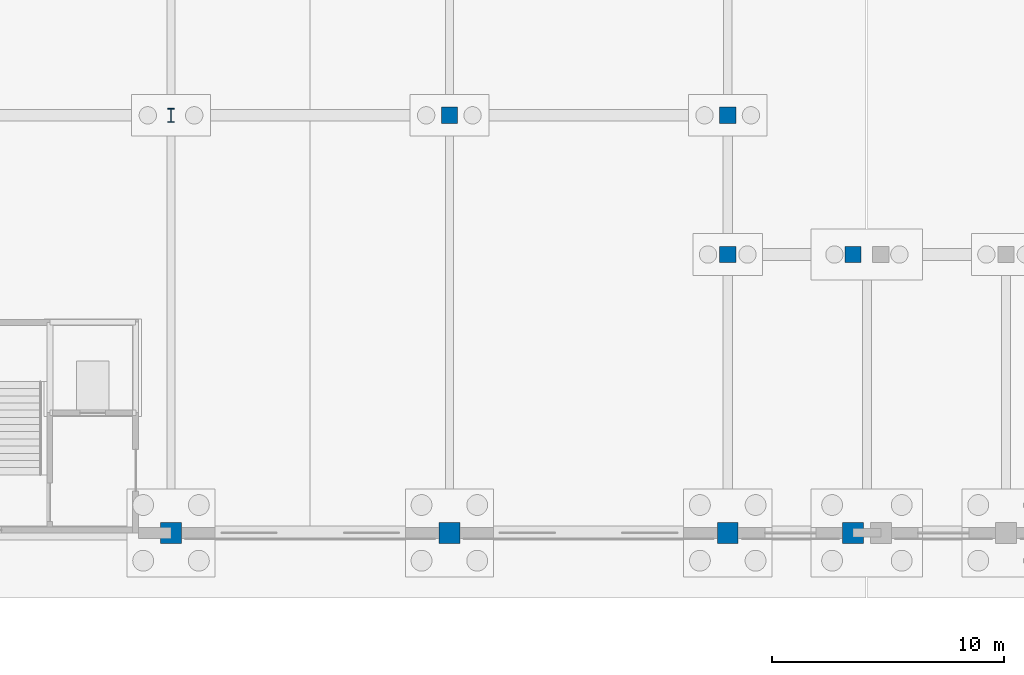
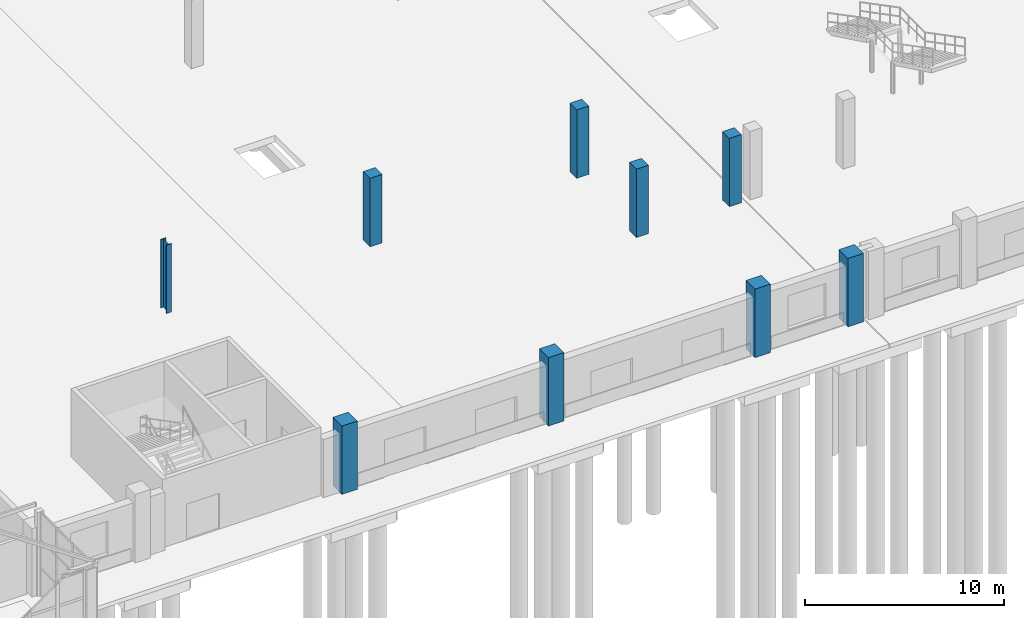
# One storey, part 15 of 77: 9 columns.
"""IFC4 building model written with IfcOpenShell, lengths in metres."""

from ifc_helpers import new_model, si_unit, direction, frame, origin, origin_2d, place, context, subcontext, project, spatial, rectangle, i_section, extrude, material, material_profile, profile_set, type_object, element, save


model = new_model("IFC4")

# Units and contexts
model_context = context("Model", 3, precision=1e-05, world=origin(), true_north=direction((0.0, 1.0)))
body_context = subcontext(model_context, "Body", "Model", "MODEL_VIEW")
ifc_project = project(units=[si_unit("LENGTHUNIT", "METRE"), si_unit("AREAUNIT", "SQUARE_METRE"), si_unit("VOLUMEUNIT", "CUBIC_METRE"), si_unit("PLANEANGLEUNIT", "RADIAN"), si_unit("MASSUNIT", "GRAM", prefix="KILO")], contexts=[model_context])

# Site, building, storey
site_placement = place(None, origin())
site = spatial("IfcSite", under=ifc_project, at=site_placement, CompositionType="ELEMENT")
building_placement = place(site_placement, origin())
building = spatial("IfcBuilding", under=site, at=building_placement, Name="Zilviju Railside Exhibition Hall", CompositionType="ELEMENT")
storey_placement = place(building_placement, origin())
storey = spatial("IfcBuildingStorey", under=building, at=storey_placement, Name="L01", CompositionType="ELEMENT", Elevation=0.0)

# Columns
ifc_material_1 = material(Name="Concrete C35/45", Category="concrete")
ifc_material_profile_1 = material_profile(ifc_material_1, rectangle(XDim=0.699951171875, YDim=0.699951171875, at=origin_2d()), Name="RC COL 700x700")
ifc_profile_set_1 = profile_set([ifc_material_profile_1], Name="Concrete C35/45")
column_type_1 = type_object("IfcColumnType", Name="COL-RC-700", PredefinedType="COLUMN", material=ifc_profile_set_1)
for number, where, z_axis, x_axis, name in (
    (1, (120.0, 12.0, 0.0), (0.0, 0.0, 1.0), (1.0, 0.0, 0.0), "Structural Column L01 (120.0, 12.0)"),
    (2, (125.39990234375, 12.0, 0.0), (0.0, 0.0, 1.0), (1.0, 0.0, 0.0), "Structural Column L01 (125.4, 12.0)"),
    (3, (108.0, 18.0, 0.0), (0.0, 0.0, 1.0), (1.0, 0.0, 0.0), "Structural Column L01 (108.0, 18.0)"),
    (4, (120.0, 18.0, 0.0), (0.0, 0.0, 1.0), (1.0, 0.0, 0.0), "Structural Column L01 (120.0, 18.0)"),
):
    element("IfcColumn", number, at=place(storey_placement, frame(where, z_axis=z_axis, x_axis=x_axis)), inside=storey, type_object=column_type_1, Name=name, PredefinedType="COLUMN", context=body_context, shape_type="SweptSolid", body=[
        extrude(rectangle(XDim=0.699951171875, YDim=0.699951171875, at=origin_2d()), origin(), (0.0, 0.0, 1.0), 4.199951171875),
    ])
ifc_material_2 = material(Name="Concrete C40/50", Category="concrete")
ifc_material_profile_2 = material_profile(ifc_material_2, rectangle(XDim=0.89990234375, YDim=0.89990234375, at=origin_2d()), Name="RC COL 900x900")
ifc_profile_set_2 = profile_set([ifc_material_profile_2], Name="Concrete C40/50")
column_type_2 = type_object("IfcColumnType", Name="COL-RC-900", PredefinedType="COLUMN", material=ifc_profile_set_2)
for number, where, z_axis, x_axis, name in (
    (5, (96.0, 0.0, 0.0), (0.0, 0.0, 1.0), (1.0, 0.0, 0.0), "Structural Column L01 (96.0, 0.0)"),
    (6, (108.0, 0.0, 0.0), (0.0, 0.0, 1.0), (1.0, 0.0, 0.0), "Structural Column L01 (108.0, 0.0)"),
    (7, (120.0, 0.0, 0.0), (0.0, 0.0, 1.0), (1.0, 0.0, 0.0), "Structural Column L01 (120.0, 0.0)"),
    (8, (125.39990234375, 0.0, 0.0), (0.0, 0.0, 1.0), (1.0, 0.0, 0.0), "Structural Column L01 (125.4, 0.0)"),
):
    element("IfcColumn", number, at=place(storey_placement, frame(where, z_axis=z_axis, x_axis=x_axis)), inside=storey, type_object=column_type_2, Name=name, PredefinedType="COLUMN", context=body_context, shape_type="SweptSolid", body=[
        extrude(rectangle(XDim=0.89990234375, YDim=0.89990234375, at=origin_2d()), origin(), (0.0, 0.0, 1.0), 4.199951171875),
    ])
ifc_material_3 = material(Name="Steel S355J2", Category="steel")
ifc_material_profile_3 = material_profile(ifc_material_3, i_section(OverallWidth=0.300048828125, OverallDepth=0.60009765625, WebThickness=0.015380859375, FlangeThickness=0.030029296875, at=origin_2d()), Name="HEB 600")
ifc_profile_set_3 = profile_set([ifc_material_profile_3], Name="Steel S355J2")
column_type_3 = type_object("IfcColumnType", Name="COL-ST-HEB600", PredefinedType="COLUMN", material=ifc_profile_set_3)
column_placement = place(storey_placement, frame((96.0, 18.0, 0.0), z_axis=(0.0, 0.0, 1.0), x_axis=(1.0, 0.0, 0.0)))
element("IfcColumn", 9, at=column_placement, inside=storey, type_object=column_type_3, Name="Structural Column L01 (96.0, 18.0)", PredefinedType="COLUMN", context=body_context, shape_type="SweptSolid", body=[
    extrude(i_section(OverallWidth=0.300048828125, OverallDepth=0.60009765625, WebThickness=0.015380859375, FlangeThickness=0.030029296875, at=origin_2d()), origin(), (0.0, 0.0, 1.0), 4.199951171875),
])

save(model, "model.ifc")
